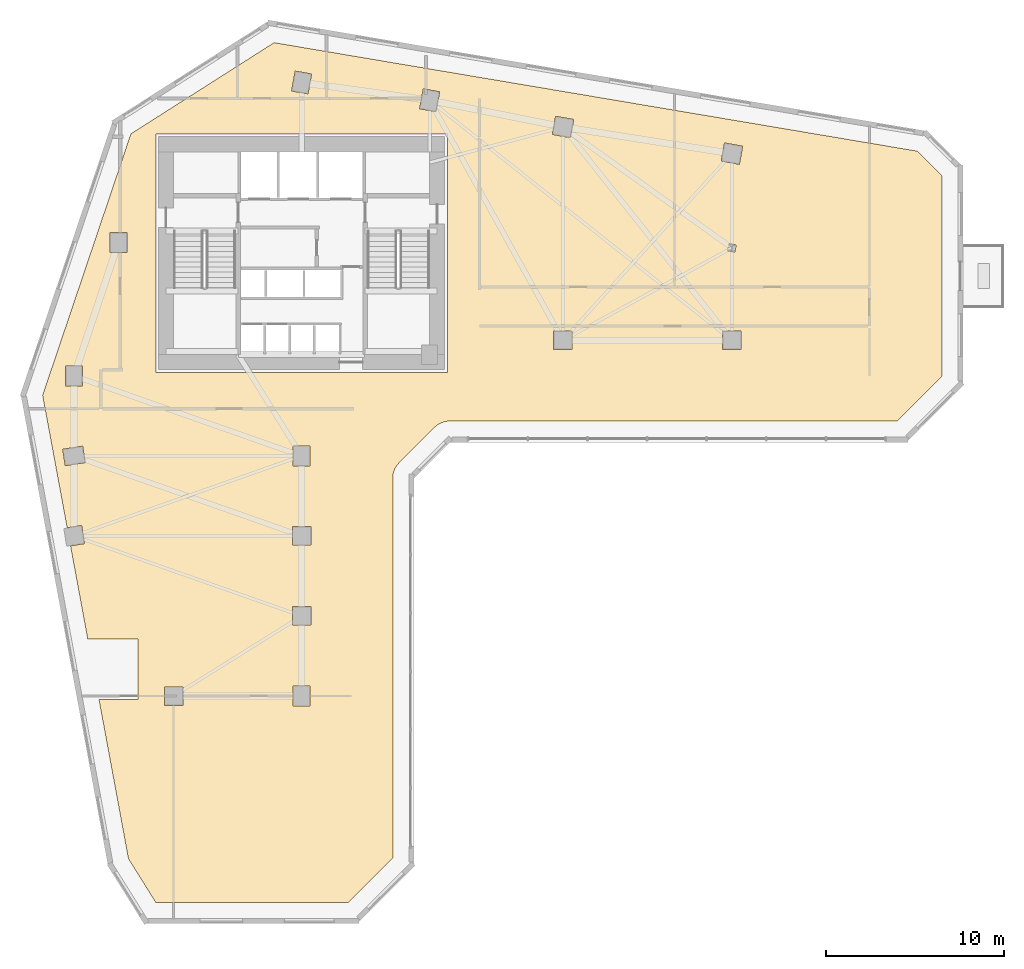
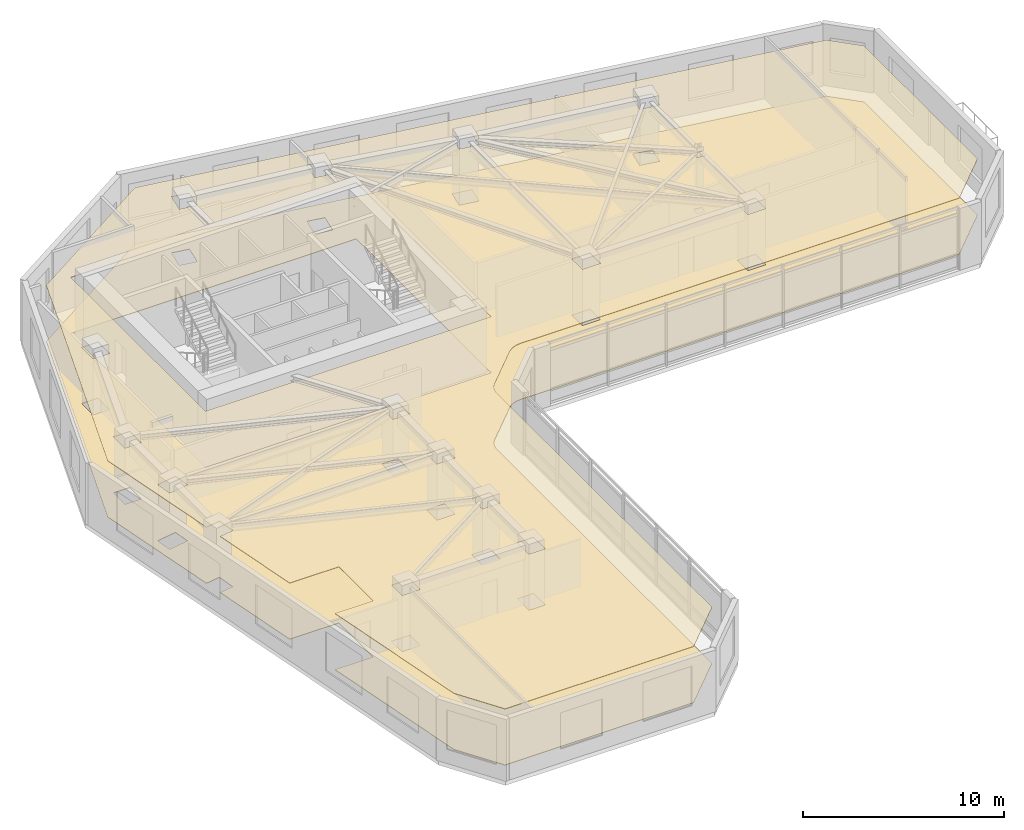
# One storey, part 9 of 11: 2 coverings.
"""IFC4 building model written with IfcOpenShell, lengths in metres."""

from ifc_helpers import new_model, si_unit, direction, frame, origin, place, context, subcontext, project, spatial, polyline, outline, extrude, material, layer, layer_set, type_object, element, save


model = new_model("IFC4")

# Units and contexts
model_context = context("Model", 3, precision=1e-05, world=origin(), true_north=direction((0.0, 1.0)))
body_context = subcontext(model_context, "Body", "Model", "MODEL_VIEW")
ifc_project = project(units=[si_unit("LENGTHUNIT", "METRE"), si_unit("AREAUNIT", "SQUARE_METRE"), si_unit("VOLUMEUNIT", "CUBIC_METRE"), si_unit("PLANEANGLEUNIT", "RADIAN"), si_unit("MASSUNIT", "GRAM", prefix="KILO")], contexts=[model_context])

# Site, building, storey
site_placement = place(None, origin())
site = spatial("IfcSite", under=ifc_project, at=site_placement, CompositionType="ELEMENT")
building_placement = place(site_placement, origin())
building = spatial("IfcBuilding", under=site, at=building_placement, Name="Calvemar Wedge Station Tower", CompositionType="ELEMENT")
storey_placement = place(building_placement, frame((0.0, 0.0, 31.0)))
storey = spatial("IfcBuildingStorey", under=building, at=storey_placement, Name="L07", CompositionType="ELEMENT", Elevation=31.0)

# Coverings
ifc_material_1 = material(Name="Acoustic mineral fibre ceiling board")
ifc_layer_1 = layer(ifc_material_1, 0.0400390625)
ifc_layer_set_1 = layer_set([ifc_layer_1], Name="Acoustic mineral fibre ceiling board")
covering_type_1 = type_object("IfcCoveringType", Name="COV-CEIL-ACOUSTIC", PredefinedType="CEILING", material=ifc_layer_set_1)
covering_1_placement = place(storey_placement, frame((0.0, 0.0, 3.39990234375)))
element("IfcCovering", 1, at=covering_1_placement, inside=storey, type_object=covering_type_1, Name="Storey L07 Acoustic Suspended Ceiling", PredefinedType="CEILING", context=body_context, shape_type="SweptSolid", body=[
    extrude(outline(polyline([(29.279541015625, 28.1083984375), (31.279541015625, 30.1083984375), (31.36669921875, 30.1875), (31.461181640625, 30.2578125), (31.562255859375, 30.318359375), (31.668701171875, 30.36865234375), (31.77978515625, 30.408203125), (31.893798828125, 30.43701171875), (32.010498046875, 30.4541015625), (32.1279296875, 30.4599609375), (57.302978515625, 30.4599609375), (59.800048828125, 32.95703125), (59.800048828125, 44.262939453125), (58.422607421875, 45.640380859375), (22.255126953125, 51.739990234375), (14.201416015625, 46.614990234375), (9.23681640625, 31.911865234375), (10.6162109375, 24.465087890625), (11.43115234375, 24.595703125), (11.595703125, 23.56884765625), (10.805908203125, 23.4423828125), (11.777099609375, 18.199951171875), (14.60009765625, 18.199951171875), (14.60009765625, 14.800048828125), (12.406982421875, 14.800048828125), (14.06640625, 5.8427734375), (15.593017578125, 3.39990234375), (26.430908203125, 3.39990234375), (28.927978515625, 5.897216796875), (28.927978515625, 27.260009765625), (28.933837890625, 27.377685546875), (28.951171875, 27.494140625), (28.979736328125, 27.6083984375), (29.019287109375, 27.71923828125), (29.069580078125, 27.82568359375), (29.130126953125, 27.9267578125), (29.200439453125, 28.021240234375), (29.279541015625, 28.1083984375)]), holes=[polyline([(15.60009765625, 46.60009765625), (32.0, 46.60009765625), (32.0, 33.199951171875), (15.60009765625, 33.199951171875), (15.60009765625, 46.60009765625)]), polyline([(10.530029296875, 32.429931640625), (10.530029296875, 33.570068359375), (11.469970703125, 33.570068359375), (11.469970703125, 32.429931640625), (10.530029296875, 32.429931640625)]), polyline([(13.030029296875, 41.070068359375), (13.969970703125, 41.070068359375), (13.969970703125, 39.929931640625), (13.030029296875, 39.929931640625), (13.030029296875, 41.070068359375)]), polyline([(24.363525390625, 49.977783203125), (24.16162109375, 48.855712890625), (23.236572265625, 49.022216796875), (23.4384765625, 50.144287109375), (24.363525390625, 49.977783203125)]), polyline([(31.361572265625, 47.855712890625), (30.4365234375, 48.022216796875), (30.638427734375, 49.144287109375), (31.5634765625, 48.977783203125), (31.361572265625, 47.855712890625)]), polyline([(37.89599609375, 46.580322265625), (38.080322265625, 47.60400390625), (39.10400390625, 47.419677734375), (38.919677734375, 46.39599609375), (37.89599609375, 46.580322265625)]), polyline([(47.580322265625, 46.10400390625), (48.60400390625, 45.919677734375), (48.419677734375, 44.89599609375), (47.39599609375, 45.080322265625), (47.580322265625, 46.10400390625)]), polyline([(39.02001953125, 35.52001953125), (39.02001953125, 34.47998046875), (37.97998046875, 34.47998046875), (37.97998046875, 35.52001953125), (39.02001953125, 35.52001953125)]), polyline([(48.52001953125, 34.47998046875), (47.47998046875, 34.47998046875), (47.47998046875, 35.52001953125), (48.52001953125, 35.52001953125), (48.52001953125, 34.47998046875)]), polyline([(47.759765625, 40.033935546875), (47.832763671875, 40.439453125), (48.240234375, 40.3662109375), (48.167236328125, 39.960693359375), (47.759765625, 40.033935546875)]), polyline([(11.488525390625, 29.05419921875), (11.63720703125, 28.126220703125), (10.511474609375, 27.94580078125), (10.36279296875, 28.873779296875), (11.488525390625, 29.05419921875)]), polyline([(24.27001953125, 27.929931640625), (23.330078125, 27.929931640625), (23.330078125, 29.070068359375), (24.27001953125, 29.070068359375), (24.27001953125, 27.929931640625)]), polyline([(23.280029296875, 23.47998046875), (23.280029296875, 24.52001953125), (24.320068359375, 24.52001953125), (24.320068359375, 23.47998046875), (23.280029296875, 23.47998046875)]), polyline([(23.280029296875, 20.02001953125), (24.320068359375, 20.02001953125), (24.320068359375, 18.97998046875), (23.280029296875, 18.97998046875), (23.280029296875, 20.02001953125)]), polyline([(24.27001953125, 15.570068359375), (24.27001953125, 14.429931640625), (23.330078125, 14.429931640625), (23.330078125, 15.570068359375), (24.27001953125, 15.570068359375)]), polyline([(17.1201171875, 14.47998046875), (16.080078125, 14.47998046875), (16.080078125, 15.52001953125), (17.1201171875, 15.52001953125), (17.1201171875, 14.47998046875)])]), origin(), (0.0, 0.0, 1.0), 0.0400390625),
])
ifc_material_2 = material(Name="Commercial raised access floor")
ifc_layer_2 = layer(ifc_material_2, 0.030029296875)
ifc_layer_set_2 = layer_set([ifc_layer_2], Name="Commercial raised access floor")
covering_type_2 = type_object("IfcCoveringType", Name="COV-FLR-RAISED", PredefinedType="FLOORING", material=ifc_layer_set_2)
covering_2_placement = place(storey_placement, origin())
element("IfcCovering", 2, at=covering_2_placement, inside=storey, type_object=covering_type_2, Name="Storey L07 Architectural Floor Finish", PredefinedType="FLOORING", context=body_context, shape_type="SweptSolid", body=[
    extrude(outline(polyline([(29.279541015625, 28.1083984375), (31.279541015625, 30.1083984375), (31.36669921875, 30.1875), (31.461181640625, 30.2578125), (31.562255859375, 30.318359375), (31.668701171875, 30.36865234375), (31.77978515625, 30.408203125), (31.893798828125, 30.43701171875), (32.010498046875, 30.4541015625), (32.1279296875, 30.4599609375), (57.302978515625, 30.4599609375), (59.800048828125, 32.95703125), (59.800048828125, 44.262939453125), (58.422607421875, 45.640380859375), (22.255126953125, 51.739990234375), (14.201416015625, 46.614990234375), (9.23681640625, 31.911865234375), (10.6162109375, 24.465087890625), (11.43115234375, 24.595703125), (11.595703125, 23.56884765625), (10.805908203125, 23.4423828125), (11.777099609375, 18.199951171875), (14.60009765625, 18.199951171875), (14.60009765625, 14.800048828125), (12.406982421875, 14.800048828125), (14.06640625, 5.8427734375), (15.593017578125, 3.39990234375), (26.430908203125, 3.39990234375), (28.927978515625, 5.897216796875), (28.927978515625, 27.260009765625), (28.933837890625, 27.377685546875), (28.951171875, 27.494140625), (28.979736328125, 27.6083984375), (29.019287109375, 27.71923828125), (29.069580078125, 27.82568359375), (29.130126953125, 27.9267578125), (29.200439453125, 28.021240234375), (29.279541015625, 28.1083984375)]), holes=[polyline([(15.60009765625, 46.60009765625), (32.0, 46.60009765625), (32.0, 33.199951171875), (15.60009765625, 33.199951171875), (15.60009765625, 46.60009765625)]), polyline([(10.530029296875, 32.429931640625), (10.530029296875, 33.570068359375), (11.469970703125, 33.570068359375), (11.469970703125, 32.429931640625), (10.530029296875, 32.429931640625)]), polyline([(13.030029296875, 41.070068359375), (13.969970703125, 41.070068359375), (13.969970703125, 39.929931640625), (13.030029296875, 39.929931640625), (13.030029296875, 41.070068359375)]), polyline([(24.363525390625, 49.977783203125), (24.16162109375, 48.855712890625), (23.236572265625, 49.022216796875), (23.4384765625, 50.144287109375), (24.363525390625, 49.977783203125)]), polyline([(31.361572265625, 47.855712890625), (30.4365234375, 48.022216796875), (30.638427734375, 49.144287109375), (31.5634765625, 48.977783203125), (31.361572265625, 47.855712890625)]), polyline([(37.89599609375, 46.580322265625), (38.080322265625, 47.60400390625), (39.10400390625, 47.419677734375), (38.919677734375, 46.39599609375), (37.89599609375, 46.580322265625)]), polyline([(47.580322265625, 46.10400390625), (48.60400390625, 45.919677734375), (48.419677734375, 44.89599609375), (47.39599609375, 45.080322265625), (47.580322265625, 46.10400390625)]), polyline([(39.02001953125, 35.52001953125), (39.02001953125, 34.47998046875), (37.97998046875, 34.47998046875), (37.97998046875, 35.52001953125), (39.02001953125, 35.52001953125)]), polyline([(48.52001953125, 34.47998046875), (47.47998046875, 34.47998046875), (47.47998046875, 35.52001953125), (48.52001953125, 35.52001953125), (48.52001953125, 34.47998046875)]), polyline([(47.759765625, 40.033935546875), (47.832763671875, 40.439453125), (48.240234375, 40.3662109375), (48.167236328125, 39.960693359375), (47.759765625, 40.033935546875)]), polyline([(11.488525390625, 29.05419921875), (11.63720703125, 28.126220703125), (10.511474609375, 27.94580078125), (10.36279296875, 28.873779296875), (11.488525390625, 29.05419921875)]), polyline([(24.27001953125, 27.929931640625), (23.330078125, 27.929931640625), (23.330078125, 29.070068359375), (24.27001953125, 29.070068359375), (24.27001953125, 27.929931640625)]), polyline([(23.280029296875, 23.47998046875), (23.280029296875, 24.52001953125), (24.320068359375, 24.52001953125), (24.320068359375, 23.47998046875), (23.280029296875, 23.47998046875)]), polyline([(23.280029296875, 20.02001953125), (24.320068359375, 20.02001953125), (24.320068359375, 18.97998046875), (23.280029296875, 18.97998046875), (23.280029296875, 20.02001953125)]), polyline([(24.27001953125, 15.570068359375), (24.27001953125, 14.429931640625), (23.330078125, 14.429931640625), (23.330078125, 15.570068359375), (24.27001953125, 15.570068359375)]), polyline([(17.1201171875, 14.47998046875), (16.080078125, 14.47998046875), (16.080078125, 15.52001953125), (17.1201171875, 15.52001953125), (17.1201171875, 14.47998046875)])]), origin(), (0.0, 0.0, 1.0), 0.030029296875),
])

save(model, "model.ifc")
